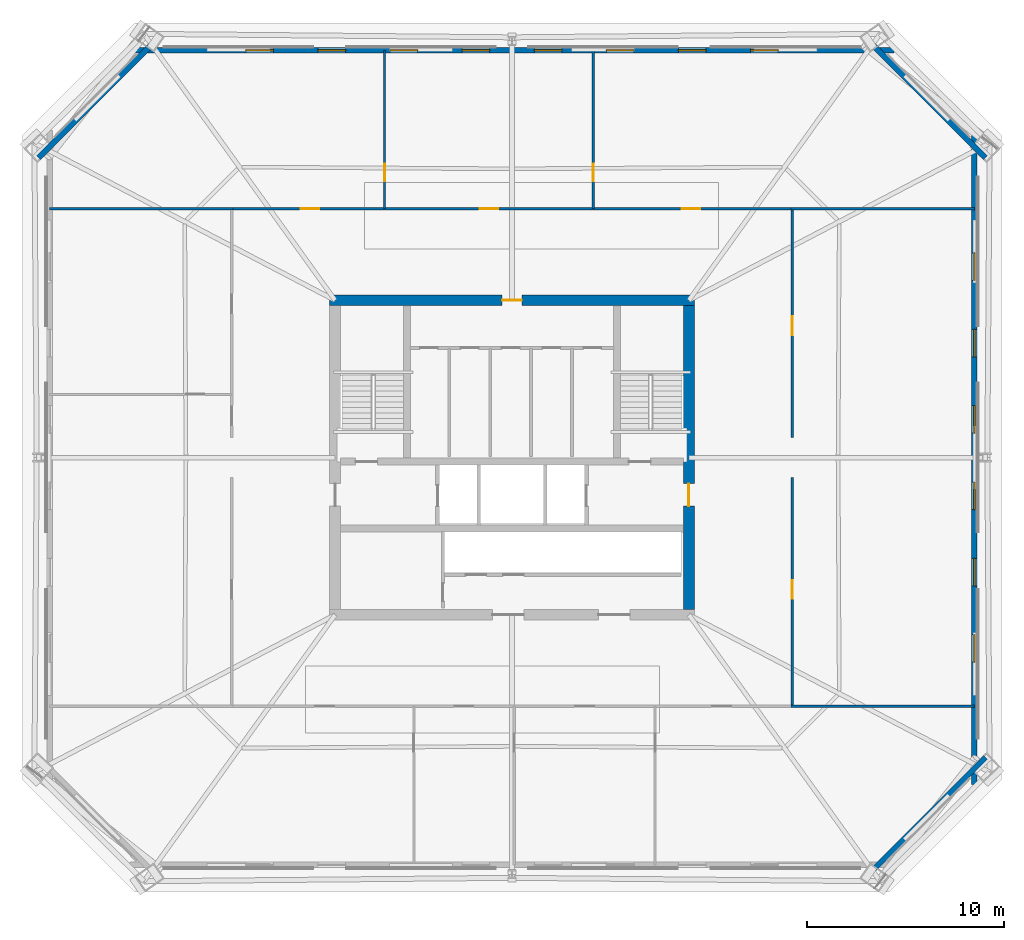
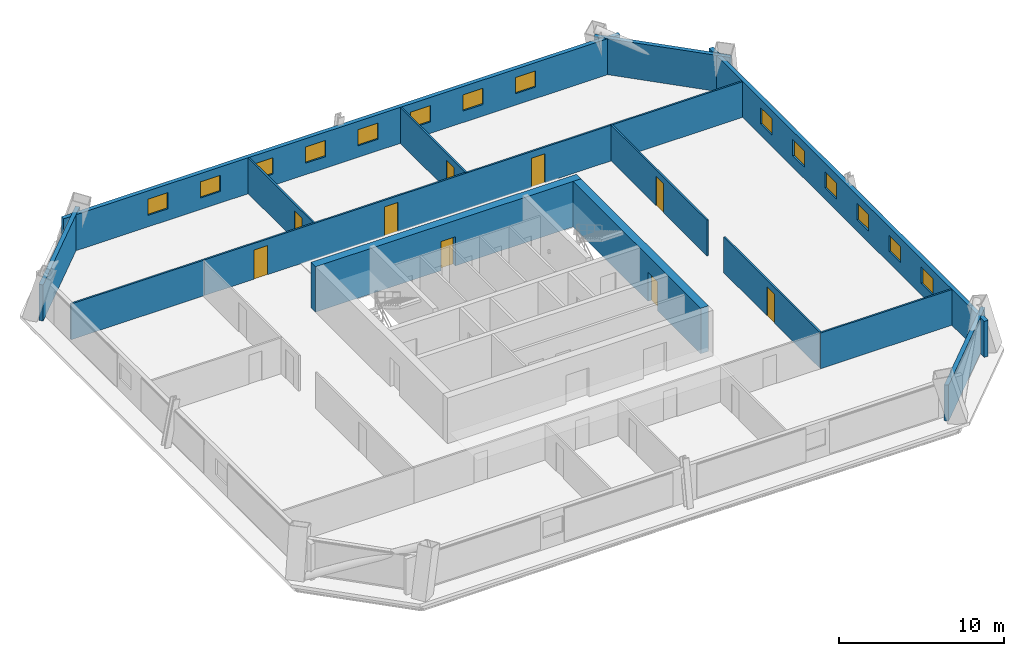
# One storey, part 4 of 7: 15 walls, 14 windows, 9 doors, 23 openings.
"""IFC4 building model written with IfcOpenShell, lengths in metres."""

from ifc_helpers import new_model, si_unit, direction, frame, frame_2d, origin, place, context, subcontext, project, spatial, rectangle, extrude, material, layer, layer_set, type_object, element, fill, save


model = new_model("IFC4")

# Units and contexts
model_context = context("Model", 3, precision=1e-05, world=origin(), true_north=direction((0.0, 1.0)))
body_context = subcontext(model_context, "Body", "Model", "MODEL_VIEW")
ifc_project = project(units=[si_unit("LENGTHUNIT", "METRE"), si_unit("AREAUNIT", "SQUARE_METRE"), si_unit("VOLUMEUNIT", "CUBIC_METRE"), si_unit("PLANEANGLEUNIT", "RADIAN"), si_unit("MASSUNIT", "GRAM", prefix="KILO")], contexts=[model_context])

# Site, building, storey
site_placement = place(None, origin())
site = spatial("IfcSite", under=ifc_project, at=site_placement, CompositionType="ELEMENT")
building_placement = place(site_placement, origin())
building = spatial("IfcBuilding", under=site, at=building_placement, Name="Caelvoria Tower", CompositionType="ELEMENT")
storey_placement = place(building_placement, frame((0.0, 0.0, 102.39990234375)))
storey = spatial("IfcBuildingStorey", under=building, at=storey_placement, Name="L26", CompositionType="ELEMENT", Elevation=102.39990234375)

# Wall
ifc_material_1 = material(Name="Precast Concrete C40/50 with Bronze Cladding", Category="concrete")
ifc_layer_1 = layer(ifc_material_1, 0.280029296875, Name="Precast Concrete C40/50 with Bronze Cladding")
ifc_layer_set_1 = layer_set([ifc_layer_1], Name="Exterior Precast Concrete C40/50 Bronze-Clad Facade Wall 280 - Precast Concrete C40/50 with Bronze Cladding")
wall_type_1 = type_object("IfcWallType", Name="Exterior Precast Concrete C40/50 Bronze-Clad Facade Wall 280", PredefinedType="STANDARD", material=ifc_layer_set_1)
wall_1_placement = place(storey_placement, frame((64.054443359375, 10.7060546875, 0.0), z_axis=(0.0, 0.0, 1.0), x_axis=(0.707106781187, 0.707106781187, 0.0)))
element("IfcWall", 1, at=wall_1_placement, inside=storey, type_object=wall_type_1, Name="Exterior Facade Wall L26-E1", PredefinedType="STANDARD", context=body_context, shape_type="SweptSolid", body=[
    extrude(rectangle(XDim=8.541259765625, YDim=0.280029296875, at=frame_2d((4.2705078125, 0.0))), origin(), (0.0, 0.0, 1.0), 2.662109375),
])

# Wall, openings, windows
wall_2_placement = place(storey_placement, frame((69.52001953125, 15.360107421875, 0.0), z_axis=(0.0, 0.0, 1.0), x_axis=(0.0, 1.0, 0.0)))
wall_2 = element("IfcWall", 2, at=wall_2_placement, inside=storey, type_object=wall_type_1, Name="Exterior Facade Wall L26-E2", PredefinedType="STANDARD", context=body_context, shape_type="SweptSolid", body=[
    extrude(rectangle(XDim=33.27978515625, YDim=0.280029296875, at=frame_2d((16.639892578125, 0.0))), origin(), (0.0, 0.0, 1.0), 2.662109375),
])
opening_1_placement = place(wall_2_placement, frame((6.2275390625, 0.0, 0.85009765625)))
opening_1 = element("IfcOpeningElement", 3, at=opening_1_placement, cuts=wall_2, Name="Opening WN-06", PredefinedType="OPENING", context=body_context, shape_type="SweptSolid", body=[
    extrude(rectangle(XDim=1.39990234375, YDim=1.199951171875, at=frame_2d((0.699951171875, 0.60009765625))), frame((0.0, 0.14990234375, 0.0), z_axis=(0.0, -1.0, 0.0), x_axis=(1.0, 0.0, 0.0)), (0.0, 0.0, 1.0), 0.300048828125),
])
opening_2_placement = place(wall_2_placement, frame((10.112548828125, 0.0, 0.85009765625)))
opening_2 = element("IfcOpeningElement", 4, at=opening_2_placement, cuts=wall_2, Name="Opening WN-06", PredefinedType="OPENING", context=body_context, shape_type="SweptSolid", body=[
    extrude(rectangle(XDim=1.39990234375, YDim=1.199951171875, at=frame_2d((0.699951171875, 0.60009765625))), frame((0.0, 0.14990234375, 0.0), z_axis=(0.0, -1.0, 0.0), x_axis=(1.0, 0.0, 0.0)), (0.0, 0.0, 1.0), 0.300048828125),
])
opening_3_placement = place(wall_2_placement, frame((13.99755859375, 0.0, 0.85009765625)))
opening_3 = element("IfcOpeningElement", 5, at=opening_3_placement, cuts=wall_2, Name="Opening WN-06", PredefinedType="OPENING", context=body_context, shape_type="SweptSolid", body=[
    extrude(rectangle(XDim=1.39990234375, YDim=1.199951171875, at=frame_2d((0.699951171875, 0.60009765625))), frame((0.0, 0.14990234375, 0.0), z_axis=(0.0, -1.0, 0.0), x_axis=(1.0, 0.0, 0.0)), (0.0, 0.0, 1.0), 0.300048828125),
])
opening_4_placement = place(wall_2_placement, frame((17.882568359375, 0.0, 0.85009765625)))
opening_4 = element("IfcOpeningElement", 6, at=opening_4_placement, cuts=wall_2, Name="Opening WN-06", PredefinedType="OPENING", context=body_context, shape_type="SweptSolid", body=[
    extrude(rectangle(XDim=1.39990234375, YDim=1.199951171875, at=frame_2d((0.699951171875, 0.60009765625))), frame((0.0, 0.14990234375, 0.0), z_axis=(0.0, -1.0, 0.0), x_axis=(1.0, 0.0, 0.0)), (0.0, 0.0, 1.0), 0.300048828125),
])
opening_5_placement = place(wall_2_placement, frame((21.767578125, 0.0, 0.85009765625)))
opening_5 = element("IfcOpeningElement", 7, at=opening_5_placement, cuts=wall_2, Name="Opening WN-06", PredefinedType="OPENING", context=body_context, shape_type="SweptSolid", body=[
    extrude(rectangle(XDim=1.39990234375, YDim=1.199951171875, at=frame_2d((0.699951171875, 0.60009765625))), frame((0.0, 0.14990234375, 0.0), z_axis=(0.0, -1.0, 0.0), x_axis=(1.0, 0.0, 0.0)), (0.0, 0.0, 1.0), 0.300048828125),
])
opening_6_placement = place(wall_2_placement, frame((25.652587890625, 0.0, 0.85009765625)))
opening_6 = element("IfcOpeningElement", 8, at=opening_6_placement, cuts=wall_2, Name="Opening WN-06", PredefinedType="OPENING", context=body_context, shape_type="SweptSolid", body=[
    extrude(rectangle(XDim=1.39990234375, YDim=1.199951171875, at=frame_2d((0.699951171875, 0.60009765625))), frame((0.0, 0.14990234375, 0.0), z_axis=(0.0, -1.0, 0.0), x_axis=(1.0, 0.0, 0.0)), (0.0, 0.0, 1.0), 0.300048828125),
])
ifc_material_2 = material(Name="Low-E Tinted Glass in Bronze Aluminium Frame", Category="aluminium")
window_type = type_object("IfcWindowType", Name="Podium Clerestory Window 1400x1200", PartitioningType="SINGLE_PANEL", PredefinedType="WINDOW", material=ifc_material_2)
window_1_placement = place(opening_1_placement, origin())
window_1 = element("IfcWindow", 9, at=window_1_placement, inside=storey, type_object=window_type, Name="Facade Window L26-E2-01", OverallHeight=1.199951171875, OverallWidth=1.39990234375, PartitioningType="SINGLE_PANEL", PredefinedType="WINDOW", context=body_context, shape_type="SweptSolid", body=[
    extrude(rectangle(XDim=1.39990234375, YDim=1.199951171875, at=frame_2d((0.699951171875, 0.60009765625))), frame((0.0, 0.030029296875, 0.0), z_axis=(0.0, -1.0, 0.0), x_axis=(1.0, 0.0, 0.0)), (0.0, 0.0, 1.0), 0.06005859375),
])
fill(opening_1, window_1)
window_2_placement = place(opening_2_placement, origin())
window_2 = element("IfcWindow", 10, at=window_2_placement, inside=storey, type_object=window_type, Name="Facade Window L26-E2-02", OverallHeight=1.199951171875, OverallWidth=1.39990234375, PartitioningType="SINGLE_PANEL", PredefinedType="WINDOW", context=body_context, shape_type="SweptSolid", body=[
    extrude(rectangle(XDim=1.39990234375, YDim=1.199951171875, at=frame_2d((0.699951171875, 0.60009765625))), frame((0.0, 0.030029296875, 0.0), z_axis=(0.0, -1.0, 0.0), x_axis=(1.0, 0.0, 0.0)), (0.0, 0.0, 1.0), 0.06005859375),
])
fill(opening_2, window_2)
window_3_placement = place(opening_3_placement, origin())
window_3 = element("IfcWindow", 11, at=window_3_placement, inside=storey, type_object=window_type, Name="Facade Window L26-E2-03", OverallHeight=1.199951171875, OverallWidth=1.39990234375, PartitioningType="SINGLE_PANEL", PredefinedType="WINDOW", context=body_context, shape_type="SweptSolid", body=[
    extrude(rectangle(XDim=1.39990234375, YDim=1.199951171875, at=frame_2d((0.699951171875, 0.60009765625))), frame((0.0, 0.030029296875, 0.0), z_axis=(0.0, -1.0, 0.0), x_axis=(1.0, 0.0, 0.0)), (0.0, 0.0, 1.0), 0.06005859375),
])
fill(opening_3, window_3)
window_4_placement = place(opening_4_placement, origin())
window_4 = element("IfcWindow", 12, at=window_4_placement, inside=storey, type_object=window_type, Name="Facade Window L26-E2-04", OverallHeight=1.199951171875, OverallWidth=1.39990234375, PartitioningType="SINGLE_PANEL", PredefinedType="WINDOW", context=body_context, shape_type="SweptSolid", body=[
    extrude(rectangle(XDim=1.39990234375, YDim=1.199951171875, at=frame_2d((0.699951171875, 0.60009765625))), frame((0.0, 0.030029296875, 0.0), z_axis=(0.0, -1.0, 0.0), x_axis=(1.0, 0.0, 0.0)), (0.0, 0.0, 1.0), 0.06005859375),
])
fill(opening_4, window_4)
window_5_placement = place(opening_5_placement, origin())
window_5 = element("IfcWindow", 13, at=window_5_placement, inside=storey, type_object=window_type, Name="Facade Window L26-E2-05", OverallHeight=1.199951171875, OverallWidth=1.39990234375, PartitioningType="SINGLE_PANEL", PredefinedType="WINDOW", context=body_context, shape_type="SweptSolid", body=[
    extrude(rectangle(XDim=1.39990234375, YDim=1.199951171875, at=frame_2d((0.699951171875, 0.60009765625))), frame((0.0, 0.030029296875, 0.0), z_axis=(0.0, -1.0, 0.0), x_axis=(1.0, 0.0, 0.0)), (0.0, 0.0, 1.0), 0.06005859375),
])
fill(opening_5, window_5)
window_6_placement = place(opening_6_placement, origin())
window_6 = element("IfcWindow", 14, at=window_6_placement, inside=storey, type_object=window_type, Name="Facade Window L26-E2-06", OverallHeight=1.199951171875, OverallWidth=1.39990234375, PartitioningType="SINGLE_PANEL", PredefinedType="WINDOW", context=body_context, shape_type="SweptSolid", body=[
    extrude(rectangle(XDim=1.39990234375, YDim=1.199951171875, at=frame_2d((0.699951171875, 0.60009765625))), frame((0.0, 0.030029296875, 0.0), z_axis=(0.0, -1.0, 0.0), x_axis=(1.0, 0.0, 0.0)), (0.0, 0.0, 1.0), 0.06005859375),
])
fill(opening_6, window_6)

# Wall
wall_3_placement = place(storey_placement, frame((70.093994140625, 47.25439453125, 0.0), z_axis=(0.0, 0.0, 1.0), x_axis=(-0.707106781187, 0.707106781187, 0.0)))
element("IfcWall", 15, at=wall_3_placement, inside=storey, type_object=wall_type_1, Name="Exterior Facade Wall L26-E3", PredefinedType="STANDARD", context=body_context, shape_type="SweptSolid", body=[
    extrude(rectangle(XDim=8.541259765625, YDim=0.280029296875, at=frame_2d((4.2705078125, 0.0))), origin(), (0.0, 0.0, 1.0), 2.662109375),
])

# Wall, openings, windows
wall_4_placement = place(storey_placement, frame((65.43994140625, 52.719970703125, 0.0), z_axis=(0.0, 0.0, 1.0), x_axis=(-1.0, 0.0, 0.0)))
wall_4 = element("IfcWall", 16, at=wall_4_placement, inside=storey, type_object=wall_type_1, Name="Exterior Facade Wall L26-E4", PredefinedType="STANDARD", context=body_context, shape_type="SweptSolid", body=[
    extrude(rectangle(XDim=38.8798828125, YDim=0.280029296875, at=frame_2d((19.43994140625, 0.0))), origin(), (0.0, 0.0, 1.0), 2.662109375),
])
opening_7_placement = place(wall_4_placement, frame((5.902099609375, 0.0, 0.85009765625)))
opening_7 = element("IfcOpeningElement", 17, at=opening_7_placement, cuts=wall_4, Name="Opening WN-06", PredefinedType="OPENING", context=body_context, shape_type="SweptSolid", body=[
    extrude(rectangle(XDim=1.39990234375, YDim=1.199951171875, at=frame_2d((0.699951171875, 0.60009765625))), frame((0.0, 0.14990234375, 0.0), z_axis=(0.0, -1.0, 0.0), x_axis=(1.0, 0.0, 0.0)), (0.0, 0.0, 1.0), 0.300048828125),
])
opening_8_placement = place(wall_4_placement, frame((9.570068359375, 0.0, 0.85009765625)))
opening_8 = element("IfcOpeningElement", 18, at=opening_8_placement, cuts=wall_4, Name="Opening WN-06", PredefinedType="OPENING", context=body_context, shape_type="SweptSolid", body=[
    extrude(rectangle(XDim=1.39990234375, YDim=1.199951171875, at=frame_2d((0.699951171875, 0.60009765625))), frame((0.0, 0.14990234375, 0.0), z_axis=(0.0, -1.0, 0.0), x_axis=(1.0, 0.0, 0.0)), (0.0, 0.0, 1.0), 0.300048828125),
])
opening_9_placement = place(wall_4_placement, frame((13.238037109375, 0.0, 0.85009765625)))
opening_9 = element("IfcOpeningElement", 19, at=opening_9_placement, cuts=wall_4, Name="Opening WN-06", PredefinedType="OPENING", context=body_context, shape_type="SweptSolid", body=[
    extrude(rectangle(XDim=1.39990234375, YDim=1.199951171875, at=frame_2d((0.699951171875, 0.60009765625))), frame((0.0, 0.14990234375, 0.0), z_axis=(0.0, -1.0, 0.0), x_axis=(1.0, 0.0, 0.0)), (0.0, 0.0, 1.0), 0.300048828125),
])
opening_10_placement = place(wall_4_placement, frame((16.906005859375, 0.0, 0.85009765625)))
opening_10 = element("IfcOpeningElement", 20, at=opening_10_placement, cuts=wall_4, Name="Opening WN-06", PredefinedType="OPENING", context=body_context, shape_type="SweptSolid", body=[
    extrude(rectangle(XDim=1.39990234375, YDim=1.199951171875, at=frame_2d((0.699951171875, 0.60009765625))), frame((0.0, 0.14990234375, 0.0), z_axis=(0.0, -1.0, 0.0), x_axis=(1.0, 0.0, 0.0)), (0.0, 0.0, 1.0), 0.300048828125),
])
opening_11_placement = place(wall_4_placement, frame((20.573974609375, 0.0, 0.85009765625)))
opening_11 = element("IfcOpeningElement", 21, at=opening_11_placement, cuts=wall_4, Name="Opening WN-06", PredefinedType="OPENING", context=body_context, shape_type="SweptSolid", body=[
    extrude(rectangle(XDim=1.39990234375, YDim=1.199951171875, at=frame_2d((0.699951171875, 0.60009765625))), frame((0.0, 0.14990234375, 0.0), z_axis=(0.0, -1.0, 0.0), x_axis=(1.0, 0.0, 0.0)), (0.0, 0.0, 1.0), 0.300048828125),
])
opening_12_placement = place(wall_4_placement, frame((24.241943359375, 0.0, 0.85009765625)))
opening_12 = element("IfcOpeningElement", 22, at=opening_12_placement, cuts=wall_4, Name="Opening WN-06", PredefinedType="OPENING", context=body_context, shape_type="SweptSolid", body=[
    extrude(rectangle(XDim=1.39990234375, YDim=1.199951171875, at=frame_2d((0.699951171875, 0.60009765625))), frame((0.0, 0.14990234375, 0.0), z_axis=(0.0, -1.0, 0.0), x_axis=(1.0, 0.0, 0.0)), (0.0, 0.0, 1.0), 0.300048828125),
])
opening_13_placement = place(wall_4_placement, frame((27.909912109375, 0.0, 0.85009765625)))
opening_13 = element("IfcOpeningElement", 23, at=opening_13_placement, cuts=wall_4, Name="Opening WN-06", PredefinedType="OPENING", context=body_context, shape_type="SweptSolid", body=[
    extrude(rectangle(XDim=1.39990234375, YDim=1.199951171875, at=frame_2d((0.699951171875, 0.60009765625))), frame((0.0, 0.14990234375, 0.0), z_axis=(0.0, -1.0, 0.0), x_axis=(1.0, 0.0, 0.0)), (0.0, 0.0, 1.0), 0.300048828125),
])
opening_14_placement = place(wall_4_placement, frame((31.577880859375, 0.0, 0.85009765625)))
opening_14 = element("IfcOpeningElement", 24, at=opening_14_placement, cuts=wall_4, Name="Opening WN-06", PredefinedType="OPENING", context=body_context, shape_type="SweptSolid", body=[
    extrude(rectangle(XDim=1.39990234375, YDim=1.199951171875, at=frame_2d((0.699951171875, 0.60009765625))), frame((0.0, 0.14990234375, 0.0), z_axis=(0.0, -1.0, 0.0), x_axis=(1.0, 0.0, 0.0)), (0.0, 0.0, 1.0), 0.300048828125),
])
window_7_placement = place(opening_7_placement, origin())
window_7 = element("IfcWindow", 25, at=window_7_placement, inside=storey, type_object=window_type, Name="Facade Window L26-E4-01", OverallHeight=1.199951171875, OverallWidth=1.39990234375, PartitioningType="SINGLE_PANEL", PredefinedType="WINDOW", context=body_context, shape_type="SweptSolid", body=[
    extrude(rectangle(XDim=1.39990234375, YDim=1.199951171875, at=frame_2d((0.699951171875, 0.60009765625))), frame((0.0, 0.030029296875, 0.0), z_axis=(0.0, -1.0, 0.0), x_axis=(1.0, 0.0, 0.0)), (0.0, 0.0, 1.0), 0.06005859375),
])
fill(opening_7, window_7)
window_8_placement = place(opening_8_placement, origin())
window_8 = element("IfcWindow", 26, at=window_8_placement, inside=storey, type_object=window_type, Name="Facade Window L26-E4-02", OverallHeight=1.199951171875, OverallWidth=1.39990234375, PartitioningType="SINGLE_PANEL", PredefinedType="WINDOW", context=body_context, shape_type="SweptSolid", body=[
    extrude(rectangle(XDim=1.39990234375, YDim=1.199951171875, at=frame_2d((0.699951171875, 0.60009765625))), frame((0.0, 0.030029296875, 0.0), z_axis=(0.0, -1.0, 0.0), x_axis=(1.0, 0.0, 0.0)), (0.0, 0.0, 1.0), 0.06005859375),
])
fill(opening_8, window_8)
window_9_placement = place(opening_9_placement, origin())
window_9 = element("IfcWindow", 27, at=window_9_placement, inside=storey, type_object=window_type, Name="Facade Window L26-E4-03", OverallHeight=1.199951171875, OverallWidth=1.39990234375, PartitioningType="SINGLE_PANEL", PredefinedType="WINDOW", context=body_context, shape_type="SweptSolid", body=[
    extrude(rectangle(XDim=1.39990234375, YDim=1.199951171875, at=frame_2d((0.699951171875, 0.60009765625))), frame((0.0, 0.030029296875, 0.0), z_axis=(0.0, -1.0, 0.0), x_axis=(1.0, 0.0, 0.0)), (0.0, 0.0, 1.0), 0.06005859375),
])
fill(opening_9, window_9)
window_10_placement = place(opening_10_placement, origin())
window_10 = element("IfcWindow", 28, at=window_10_placement, inside=storey, type_object=window_type, Name="Facade Window L26-E4-04", OverallHeight=1.199951171875, OverallWidth=1.39990234375, PartitioningType="SINGLE_PANEL", PredefinedType="WINDOW", context=body_context, shape_type="SweptSolid", body=[
    extrude(rectangle(XDim=1.39990234375, YDim=1.199951171875, at=frame_2d((0.699951171875, 0.60009765625))), frame((0.0, 0.030029296875, 0.0), z_axis=(0.0, -1.0, 0.0), x_axis=(1.0, 0.0, 0.0)), (0.0, 0.0, 1.0), 0.06005859375),
])
fill(opening_10, window_10)
window_11_placement = place(opening_11_placement, origin())
window_11 = element("IfcWindow", 29, at=window_11_placement, inside=storey, type_object=window_type, Name="Facade Window L26-E4-05", OverallHeight=1.199951171875, OverallWidth=1.39990234375, PartitioningType="SINGLE_PANEL", PredefinedType="WINDOW", context=body_context, shape_type="SweptSolid", body=[
    extrude(rectangle(XDim=1.39990234375, YDim=1.199951171875, at=frame_2d((0.699951171875, 0.60009765625))), frame((0.0, 0.030029296875, 0.0), z_axis=(0.0, -1.0, 0.0), x_axis=(1.0, 0.0, 0.0)), (0.0, 0.0, 1.0), 0.06005859375),
])
fill(opening_11, window_11)
window_12_placement = place(opening_12_placement, origin())
window_12 = element("IfcWindow", 30, at=window_12_placement, inside=storey, type_object=window_type, Name="Facade Window L26-E4-06", OverallHeight=1.199951171875, OverallWidth=1.39990234375, PartitioningType="SINGLE_PANEL", PredefinedType="WINDOW", context=body_context, shape_type="SweptSolid", body=[
    extrude(rectangle(XDim=1.39990234375, YDim=1.199951171875, at=frame_2d((0.699951171875, 0.60009765625))), frame((0.0, 0.030029296875, 0.0), z_axis=(0.0, -1.0, 0.0), x_axis=(1.0, 0.0, 0.0)), (0.0, 0.0, 1.0), 0.06005859375),
])
fill(opening_12, window_12)
window_13_placement = place(opening_13_placement, origin())
window_13 = element("IfcWindow", 31, at=window_13_placement, inside=storey, type_object=window_type, Name="Facade Window L26-E4-07", OverallHeight=1.199951171875, OverallWidth=1.39990234375, PartitioningType="SINGLE_PANEL", PredefinedType="WINDOW", context=body_context, shape_type="SweptSolid", body=[
    extrude(rectangle(XDim=1.39990234375, YDim=1.199951171875, at=frame_2d((0.699951171875, 0.60009765625))), frame((0.0, 0.030029296875, 0.0), z_axis=(0.0, -1.0, 0.0), x_axis=(1.0, 0.0, 0.0)), (0.0, 0.0, 1.0), 0.06005859375),
])
fill(opening_13, window_13)
window_14_placement = place(opening_14_placement, origin())
window_14 = element("IfcWindow", 32, at=window_14_placement, inside=storey, type_object=window_type, Name="Facade Window L26-E4-08", OverallHeight=1.199951171875, OverallWidth=1.39990234375, PartitioningType="SINGLE_PANEL", PredefinedType="WINDOW", context=body_context, shape_type="SweptSolid", body=[
    extrude(rectangle(XDim=1.39990234375, YDim=1.199951171875, at=frame_2d((0.699951171875, 0.60009765625))), frame((0.0, 0.030029296875, 0.0), z_axis=(0.0, -1.0, 0.0), x_axis=(1.0, 0.0, 0.0)), (0.0, 0.0, 1.0), 0.06005859375),
])
fill(opening_14, window_14)

# Wall
wall_5_placement = place(storey_placement, frame((27.945556640625, 53.2939453125, 0.0), z_axis=(0.0, 0.0, 1.0), x_axis=(-0.707106781187, -0.707106781187, 0.0)))
element("IfcWall", 33, at=wall_5_placement, inside=storey, type_object=wall_type_1, Name="Exterior Facade Wall L26-E5", PredefinedType="STANDARD", context=body_context, shape_type="SweptSolid", body=[
    extrude(rectangle(XDim=8.541259765625, YDim=0.280029296875, at=frame_2d((4.2705078125, 0.0))), origin(), (0.0, 0.0, 1.0), 2.662109375),
])

# Wall, opening, door
ifc_material_3 = material(Name="Concrete C55/67", Category="concrete")
ifc_layer_2 = layer(ifc_material_3, 0.550048828125, Name="Concrete C55/67")
ifc_layer_set_2 = layer_set([ifc_layer_2], Name="Mid Core Shear Wall 550 - Concrete C55/67")
wall_type_2 = type_object("IfcWallType", Name="Mid Core Shear Wall 550", PredefinedType="SHEAR", material=ifc_layer_set_2)
wall_6_placement = place(storey_placement, frame((36.72509765625, 40.0, 0.0), z_axis=(0.0, 0.0, 1.0), x_axis=(1.0, 0.0, 0.0)))
wall_6 = element("IfcWall", 34, at=wall_6_placement, inside=storey, type_object=wall_type_2, Name="Core Shear Wall L26 N", PredefinedType="SHEAR", context=body_context, shape_type="SweptSolid", body=[
    extrude(rectangle(XDim=18.5498046875, YDim=0.550048828125, at=frame_2d((9.27490234375, 0.0))), origin(), (0.0, 0.0, 1.0), 3.360107421875),
])
opening_15_placement = place(wall_6_placement, frame((8.77490234375, 0.0, 0.0)))
opening_15 = element("IfcOpeningElement", 35, at=opening_15_placement, cuts=wall_6, Name="Opening ID-03", PredefinedType="OPENING", context=body_context, shape_type="SweptSolid", body=[
    extrude(rectangle(XDim=1.0, YDim=2.14990234375, at=frame_2d((0.5, 1.074951171875))), frame((0.0, 0.284912109375, 0.0), z_axis=(0.0, -1.0, 0.0), x_axis=(1.0, 0.0, 0.0)), (0.0, 0.0, 1.0), 0.570068359375),
])
ifc_material_4 = material(Name="Painted Hollow Steel Fire Door", Category="steel")
door_type_1 = type_object("IfcDoorType", Name="Fire Door FD60S 1000x2150", OperationType="NOTDEFINED", PredefinedType="DOOR", material=ifc_material_4)
door_1_placement = place(opening_15_placement, origin())
door_1 = element("IfcDoor", 36, at=door_1_placement, inside=storey, type_object=door_type_1, Name="Core Door DR-L26-WC-MAIN", OperationType="SINGLE_SWING_RIGHT", OverallHeight=2.14990234375, OverallWidth=1.0, PredefinedType="DOOR", context=body_context, shape_type="SweptSolid", body=[
    extrude(rectangle(XDim=1.0, YDim=2.14990234375, at=frame_2d((0.5, 1.074951171875))), frame((0.0, 0.02490234375, 0.0), z_axis=(0.0, -1.0, 0.0), x_axis=(1.0, 0.0, 0.0)), (0.0, 0.0, 1.0), 0.050048828125),
])
fill(opening_15, door_1)

wall_7_placement = place(storey_placement, frame((55.0, 24.27490234375, 0.0), z_axis=(0.0, 0.0, 1.0), x_axis=(0.0, 1.0, 0.0)))
wall_7 = element("IfcWall", 37, at=wall_7_placement, inside=storey, type_object=wall_type_2, Name="Core Shear Wall L26 E", PredefinedType="SHEAR", context=body_context, shape_type="SweptSolid", body=[
    extrude(rectangle(XDim=15.4501953125, YDim=0.550048828125, at=frame_2d((7.72509765625, 0.0))), origin(), (0.0, 0.0, 1.0), 3.360107421875),
])
opening_16_placement = place(wall_7_placement, frame((5.25, 0.0, 0.0)))
opening_16 = element("IfcOpeningElement", 38, at=opening_16_placement, cuts=wall_7, Name="Opening ID-02", PredefinedType="OPENING", context=body_context, shape_type="SweptSolid", body=[
    extrude(rectangle(XDim=1.14990234375, YDim=2.14990234375, at=frame_2d((0.574951171875, 1.074951171875))), frame((0.0, 0.284912109375, 0.0), z_axis=(0.0, -1.0, 0.0), x_axis=(1.0, 0.0, 0.0)), (0.0, 0.0, 1.0), 0.570068359375),
])
door_type_2 = type_object("IfcDoorType", Name="Fire Door FD60S 1150x2150", OperationType="NOTDEFINED", PredefinedType="DOOR", material=ifc_material_4)
door_2_placement = place(opening_16_placement, origin())
door_2 = element("IfcDoor", 39, at=door_2_placement, inside=storey, type_object=door_type_2, Name="Core Door DR-L26-FFLE-OUT", OperationType="SINGLE_SWING_RIGHT", OverallHeight=2.14990234375, OverallWidth=1.14990234375, PredefinedType="DOOR", context=body_context, shape_type="SweptSolid", body=[
    extrude(rectangle(XDim=1.14990234375, YDim=2.14990234375, at=frame_2d((0.574951171875, 1.074951171875))), frame((0.0, 0.02490234375, 0.0), z_axis=(0.0, -1.0, 0.0), x_axis=(1.0, 0.0, 0.0)), (0.0, 0.0, 1.0), 0.050048828125),
])
fill(opening_16, door_2)

ifc_material_5 = material(Name="Acoustic Gypsum Board on Light-Gauge Stud", Category="gypsum")
ifc_layer_3 = layer(ifc_material_5, 0.1201171875, Name="Acoustic Gypsum Board on Light-Gauge Stud")
ifc_layer_set_3 = layer_set([ifc_layer_3], Name="Tenant Suite Acoustic Partition Wall 120 - Acoustic Gypsum Board on Light-Gauge Stud")
wall_type_3 = type_object("IfcWallType", Name="Tenant Suite Acoustic Partition Wall 120", PredefinedType="PARTITIONING", material=ifc_layer_set_3)
wall_8_placement = place(storey_placement, frame((39.51416015625, 44.659912109375, 0.0), z_axis=(0.0, 0.0, 1.0), x_axis=(0.0, 1.0, 0.0)))
wall_8 = element("IfcWall", 40, at=wall_8_placement, inside=storey, type_object=wall_type_3, Name="Interior Partition IW-L26-ND-00-0", PredefinedType="PARTITIONING", context=body_context, shape_type="SweptSolid", body=[
    extrude(rectangle(XDim=8.06005859375, YDim=0.1201171875, at=frame_2d((4.030029296875, 0.0))), origin(), (0.0, 0.0, 1.0), 2.64013671875),
])
opening_17_placement = place(wall_8_placement, frame((1.39990234375, 0.0, 0.0)))
opening_17 = element("IfcOpeningElement", 41, at=opening_17_placement, cuts=wall_8, Name="Opening ID-06", PredefinedType="OPENING", context=body_context, shape_type="SweptSolid", body=[
    extrude(rectangle(XDim=0.89990234375, YDim=2.14990234375, at=frame_2d((0.449951171875, 1.074951171875))), frame((0.0, 0.070068359375, 0.0), z_axis=(0.0, -1.0, 0.0), x_axis=(1.0, 0.0, 0.0)), (0.0, 0.0, 1.0), 0.14013671875),
])
ifc_material_6 = material(Name="Engineered Andean Oak Veneer Door", Category="wood")
door_type_3 = type_object("IfcDoorType", Name="Interior Timber Door 900x2150", OperationType="NOTDEFINED", PredefinedType="DOOR", material=ifc_material_6)
door_3_placement = place(opening_17_placement, origin())
door_3 = element("IfcDoor", 42, at=door_3_placement, inside=storey, type_object=door_type_3, Name="Interior Door DR-L26-NM-00-0", OperationType="SINGLE_SWING_RIGHT", OverallHeight=2.14990234375, OverallWidth=0.89990234375, PredefinedType="DOOR", context=body_context, shape_type="SweptSolid", body=[
    extrude(rectangle(XDim=0.89990234375, YDim=2.14990234375, at=frame_2d((0.449951171875, 1.074951171875))), frame((0.0, 0.02490234375, 0.0), z_axis=(0.0, -1.0, 0.0), x_axis=(1.0, 0.0, 0.0)), (0.0, 0.0, 1.0), 0.050048828125),
])
fill(opening_17, door_3)

wall_9_placement = place(storey_placement, frame((50.13671875, 44.659912109375, 0.0), z_axis=(0.0, 0.0, 1.0), x_axis=(0.0, 1.0, 0.0)))
wall_9 = element("IfcWall", 43, at=wall_9_placement, inside=storey, type_object=wall_type_3, Name="Interior Partition IW-L26-ND-01-0", PredefinedType="PARTITIONING", context=body_context, shape_type="SweptSolid", body=[
    extrude(rectangle(XDim=8.06005859375, YDim=0.1201171875, at=frame_2d((4.030029296875, 0.0))), origin(), (0.0, 0.0, 1.0), 2.64013671875),
])
opening_18_placement = place(wall_9_placement, frame((1.39990234375, 0.0, 0.0)))
opening_18 = element("IfcOpeningElement", 44, at=opening_18_placement, cuts=wall_9, Name="Opening ID-06", PredefinedType="OPENING", context=body_context, shape_type="SweptSolid", body=[
    extrude(rectangle(XDim=0.89990234375, YDim=2.14990234375, at=frame_2d((0.449951171875, 1.074951171875))), frame((0.0, 0.070068359375, 0.0), z_axis=(0.0, -1.0, 0.0), x_axis=(1.0, 0.0, 0.0)), (0.0, 0.0, 1.0), 0.14013671875),
])
door_4_placement = place(opening_18_placement, origin())
door_4 = element("IfcDoor", 45, at=door_4_placement, inside=storey, type_object=door_type_3, Name="Interior Door DR-L26-NM-01-0", OperationType="SINGLE_SWING_LEFT", OverallHeight=2.14990234375, OverallWidth=0.89990234375, PredefinedType="DOOR", context=body_context, shape_type="SweptSolid", body=[
    extrude(rectangle(XDim=0.89990234375, YDim=2.14990234375, at=frame_2d((0.449951171875, 1.074951171875))), frame((0.0, 0.02490234375, 0.0), z_axis=(0.0, -1.0, 0.0), x_axis=(1.0, 0.0, 0.0)), (0.0, 0.0, 1.0), 0.050048828125),
])
fill(opening_18, door_4)

# Wall, openings, doors
wall_10_placement = place(storey_placement, frame((31.800048828125, 44.659912109375, 0.0), z_axis=(0.0, 0.0, 1.0), x_axis=(1.0, 0.0, 0.0)))
wall_10 = element("IfcWall", 46, at=wall_10_placement, inside=storey, type_object=wall_type_3, Name="Interior Partition IW-L26-NCW-0", PredefinedType="PARTITIONING", context=body_context, shape_type="SweptSolid", body=[
    extrude(rectangle(XDim=28.39990234375, YDim=0.1201171875, at=frame_2d((14.199951171875, 0.0))), origin(), (0.0, 0.0, 1.0), 2.64013671875),
])
opening_19_placement = place(wall_10_placement, frame((3.451904296875, 0.0, 0.0)))
opening_19 = element("IfcOpeningElement", 47, at=opening_19_placement, cuts=wall_10, Name="Opening ID-05", PredefinedType="OPENING", context=body_context, shape_type="SweptSolid", body=[
    extrude(rectangle(XDim=0.949951171875, YDim=2.14990234375, at=frame_2d((0.47509765625, 1.074951171875))), frame((0.0, 0.070068359375, 0.0), z_axis=(0.0, -1.0, 0.0), x_axis=(1.0, 0.0, 0.0)), (0.0, 0.0, 1.0), 0.14013671875),
])
opening_20_placement = place(wall_10_placement, frame((12.550537109375, 0.0, 0.0)))
opening_20 = element("IfcOpeningElement", 48, at=opening_20_placement, cuts=wall_10, Name="Opening ID-05", PredefinedType="OPENING", context=body_context, shape_type="SweptSolid", body=[
    extrude(rectangle(XDim=0.949951171875, YDim=2.14990234375, at=frame_2d((0.47509765625, 1.074951171875))), frame((0.0, 0.070068359375, 0.0), z_axis=(0.0, -1.0, 0.0), x_axis=(1.0, 0.0, 0.0)), (0.0, 0.0, 1.0), 0.14013671875),
])
opening_21_placement = place(wall_10_placement, frame((22.823486328125, 0.0, 0.0)))
opening_21 = element("IfcOpeningElement", 49, at=opening_21_placement, cuts=wall_10, Name="Opening ID-05", PredefinedType="OPENING", context=body_context, shape_type="SweptSolid", body=[
    extrude(rectangle(XDim=0.949951171875, YDim=2.14990234375, at=frame_2d((0.47509765625, 1.074951171875))), frame((0.0, 0.070068359375, 0.0), z_axis=(0.0, -1.0, 0.0), x_axis=(1.0, 0.0, 0.0)), (0.0, 0.0, 1.0), 0.14013671875),
])
door_type_4 = type_object("IfcDoorType", Name="Interior Timber Door 950x2150", OperationType="NOTDEFINED", PredefinedType="DOOR", material=ifc_material_6)
door_5_placement = place(opening_19_placement, origin())
door_5 = element("IfcDoor", 50, at=door_5_placement, inside=storey, type_object=door_type_4, Name="Interior Door DR-L26-NC-00-0", OperationType="SINGLE_SWING_LEFT", OverallHeight=2.14990234375, OverallWidth=0.949951171875, PredefinedType="DOOR", context=body_context, shape_type="SweptSolid", body=[
    extrude(rectangle(XDim=0.949951171875, YDim=2.14990234375, at=frame_2d((0.47509765625, 1.074951171875))), frame((0.0, 0.02490234375, 0.0), z_axis=(0.0, -1.0, 0.0), x_axis=(1.0, 0.0, 0.0)), (0.0, 0.0, 1.0), 0.050048828125),
])
fill(opening_19, door_5)
door_6_placement = place(opening_20_placement, origin())
door_6 = element("IfcDoor", 51, at=door_6_placement, inside=storey, type_object=door_type_4, Name="Interior Door DR-L26-NC-01-0", OperationType="SINGLE_SWING_RIGHT", OverallHeight=2.14990234375, OverallWidth=0.949951171875, PredefinedType="DOOR", context=body_context, shape_type="SweptSolid", body=[
    extrude(rectangle(XDim=0.949951171875, YDim=2.14990234375, at=frame_2d((0.47509765625, 1.074951171875))), frame((0.0, 0.02490234375, 0.0), z_axis=(0.0, -1.0, 0.0), x_axis=(1.0, 0.0, 0.0)), (0.0, 0.0, 1.0), 0.050048828125),
])
fill(opening_20, door_6)
door_7_placement = place(opening_21_placement, origin())
door_7 = element("IfcDoor", 52, at=door_7_placement, inside=storey, type_object=door_type_4, Name="Interior Door DR-L26-NC-02-0", OperationType="SINGLE_SWING_LEFT", OverallHeight=2.14990234375, OverallWidth=0.949951171875, PredefinedType="DOOR", context=body_context, shape_type="SweptSolid", body=[
    extrude(rectangle(XDim=0.949951171875, YDim=2.14990234375, at=frame_2d((0.47509765625, 1.074951171875))), frame((0.0, 0.02490234375, 0.0), z_axis=(0.0, -1.0, 0.0), x_axis=(1.0, 0.0, 0.0)), (0.0, 0.0, 1.0), 0.050048828125),
])
fill(opening_21, door_7)

# Wall, opening, door
wall_11_placement = place(storey_placement, frame((60.260009765625, 19.39990234375, 0.0), z_axis=(0.0, 0.0, 1.0), x_axis=(0.0, 1.0, 0.0)))
wall_11 = element("IfcWall", 53, at=wall_11_placement, inside=storey, type_object=wall_type_3, Name="Interior Partition IW-L26-ECW-0", PredefinedType="PARTITIONING", context=body_context, shape_type="SweptSolid", body=[
    extrude(rectangle(XDim=11.580078125, YDim=0.1201171875, at=frame_2d((5.7900390625, 0.0))), origin(), (0.0, 0.0, 1.0), 2.64013671875),
])
opening_22_placement = place(wall_11_placement, frame((5.4150390625, 0.0, 0.0)))
opening_22 = element("IfcOpeningElement", 54, at=opening_22_placement, cuts=wall_11, Name="Opening ID-05", PredefinedType="OPENING", context=body_context, shape_type="SweptSolid", body=[
    extrude(rectangle(XDim=0.949951171875, YDim=2.14990234375, at=frame_2d((0.47509765625, 1.074951171875))), frame((0.0, 0.070068359375, 0.0), z_axis=(0.0, -1.0, 0.0), x_axis=(1.0, 0.0, 0.0)), (0.0, 0.0, 1.0), 0.14013671875),
])
door_8_placement = place(opening_22_placement, origin())
door_8 = element("IfcDoor", 55, at=door_8_placement, inside=storey, type_object=door_type_4, Name="Interior Door DR-L26-EC-00-1", OperationType="SINGLE_SWING_RIGHT", OverallHeight=2.14990234375, OverallWidth=0.949951171875, PredefinedType="DOOR", context=body_context, shape_type="SweptSolid", body=[
    extrude(rectangle(XDim=0.949951171875, YDim=2.14990234375, at=frame_2d((0.47509765625, 1.074951171875))), frame((0.0, 0.02490234375, 0.0), z_axis=(0.0, -1.0, 0.0), x_axis=(1.0, 0.0, 0.0)), (0.0, 0.0, 1.0), 0.050048828125),
])
fill(opening_22, door_8)

wall_12_placement = place(storey_placement, frame((60.260009765625, 33.02001953125, 0.0), z_axis=(0.0, 0.0, 1.0), x_axis=(0.0, 1.0, 0.0)))
wall_12 = element("IfcWall", 56, at=wall_12_placement, inside=storey, type_object=wall_type_3, Name="Interior Partition IW-L26-ECW-1", PredefinedType="PARTITIONING", context=body_context, shape_type="SweptSolid", body=[
    extrude(rectangle(XDim=11.580078125, YDim=0.1201171875, at=frame_2d((5.7900390625, 0.0))), origin(), (0.0, 0.0, 1.0), 2.64013671875),
])
opening_23_placement = place(wall_12_placement, frame((5.215087890625, 0.0, 0.0)))
opening_23 = element("IfcOpeningElement", 57, at=opening_23_placement, cuts=wall_12, Name="Opening ID-05", PredefinedType="OPENING", context=body_context, shape_type="SweptSolid", body=[
    extrude(rectangle(XDim=0.949951171875, YDim=2.14990234375, at=frame_2d((0.47509765625, 1.074951171875))), frame((0.0, 0.070068359375, 0.0), z_axis=(0.0, -1.0, 0.0), x_axis=(1.0, 0.0, 0.0)), (0.0, 0.0, 1.0), 0.14013671875),
])
door_9_placement = place(opening_23_placement, origin())
door_9 = element("IfcDoor", 58, at=door_9_placement, inside=storey, type_object=door_type_4, Name="Interior Door DR-L26-EC-00-0", OperationType="SINGLE_SWING_LEFT", OverallHeight=2.14990234375, OverallWidth=0.949951171875, PredefinedType="DOOR", context=body_context, shape_type="SweptSolid", body=[
    extrude(rectangle(XDim=0.949951171875, YDim=2.14990234375, at=frame_2d((0.47509765625, 1.074951171875))), frame((0.0, 0.02490234375, 0.0), z_axis=(0.0, -1.0, 0.0), x_axis=(1.0, 0.0, 0.0)), (0.0, 0.0, 1.0), 0.050048828125),
])
fill(opening_23, door_9)

# Walls
for number, where, z_axis, x_axis, name in (
    (59, (60.199951171875, 19.340087890625, 0.0), (0.0, 0.0, 1.0), (1.0, 0.0, 0.0), "Interior Partition IW-L26-BSE-0"),
    (60, (31.800048828125, 44.659912109375, 0.0), (0.0, 0.0, 1.0), (-1.0, 0.0, 0.0), "Interior Partition IW-L26-BNW-0"),
    (61, (60.199951171875, 44.659912109375, 0.0), (0.0, 0.0, 1.0), (1.0, 0.0, 0.0), "Interior Partition IW-L26-BNE-0"),
):
    element("IfcWall", number, at=place(storey_placement, frame(where, z_axis=z_axis, x_axis=x_axis)), inside=storey, type_object=wall_type_3, Name=name, PredefinedType="PARTITIONING", context=body_context, shape_type="SweptSolid", body=[
        extrude(rectangle(XDim=9.320068359375, YDim=0.1201171875, at=frame_2d((4.66015625, 0.0))), origin(), (0.0, 0.0, 1.0), 2.64013671875),
    ])

save(model, "model.ifc")
